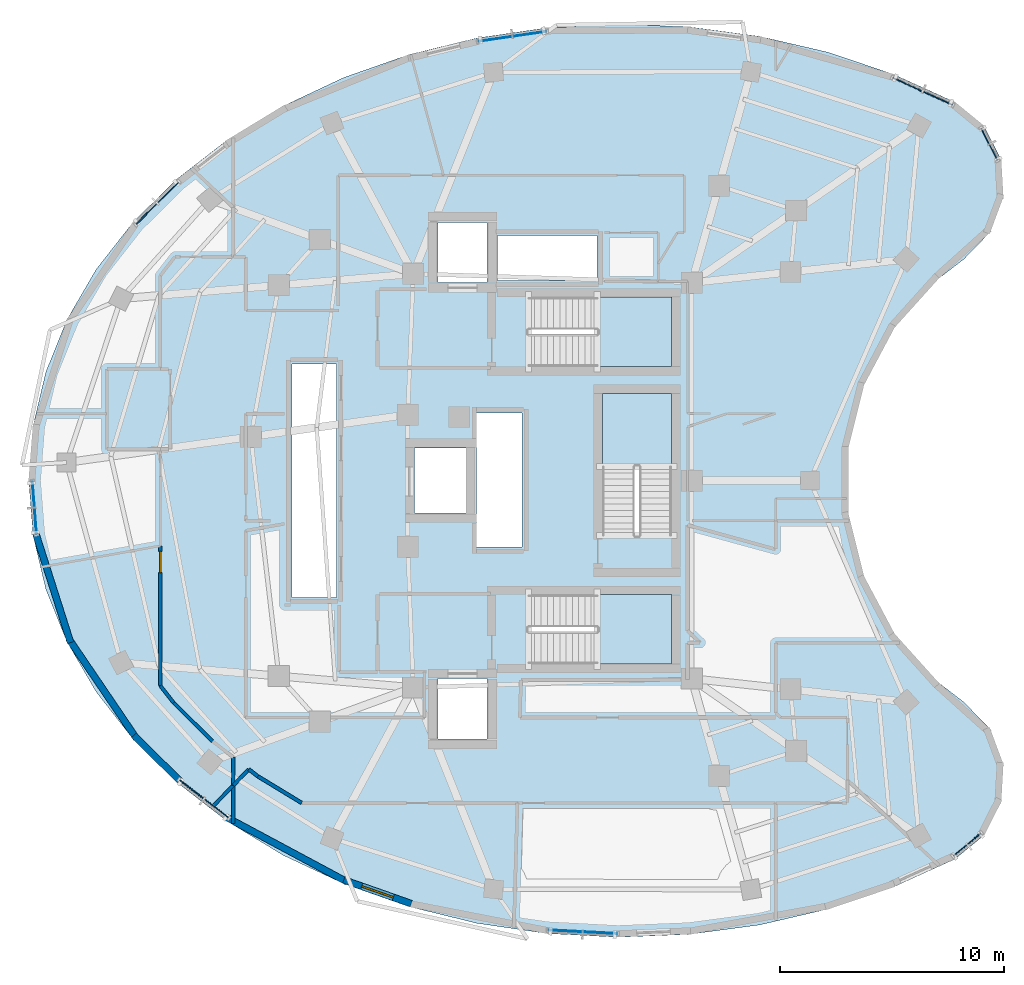
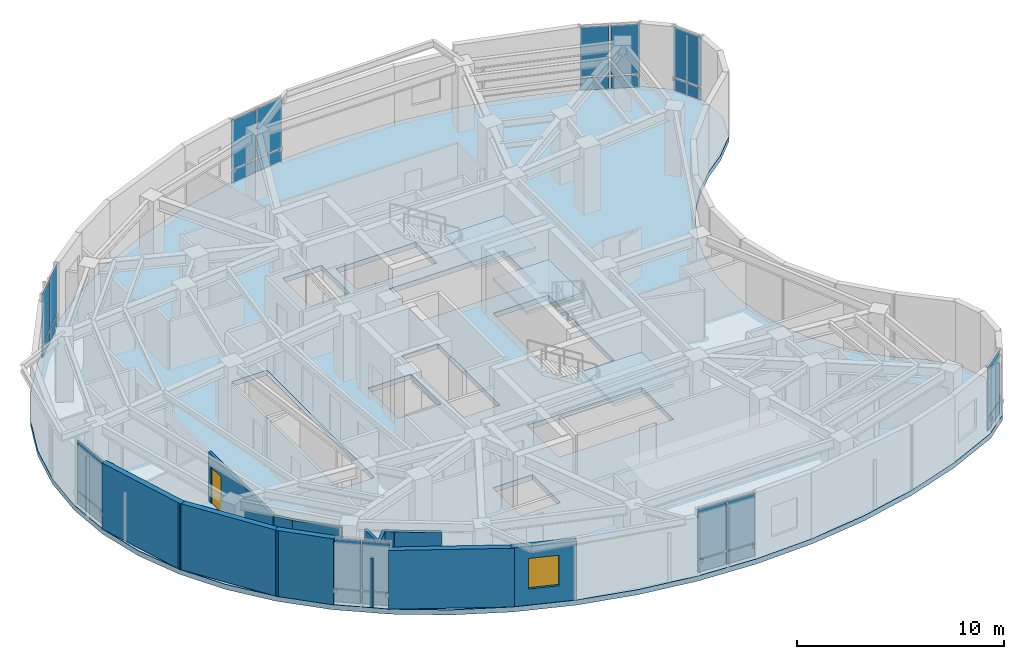
# One storey, part 6 of 13: 26 plates, 14 walls, 4 slabs, 1 door, 1 window, 2 openings, 11 elements without a shape of their own.
"""IFC4 building model written with IfcOpenShell, lengths in metres."""

from ifc_helpers import new_model, si_unit, direction, frame, frame_2d, origin, origin_2d, place, context, subcontext, project, spatial, polyline, rectangle, outline, extrude, material, layer, layer_set, type_object, element, fill, aggregate, save


model = new_model("IFC4")

# Units and contexts
model_context = context("Model", 3, precision=1e-05, world=origin(), true_north=direction((0.0, 1.0)))
body_context = subcontext(model_context, "Body", "Model", "MODEL_VIEW")
ifc_project = project(units=[si_unit("LENGTHUNIT", "METRE"), si_unit("AREAUNIT", "SQUARE_METRE"), si_unit("VOLUMEUNIT", "CUBIC_METRE"), si_unit("PLANEANGLEUNIT", "RADIAN"), si_unit("MASSUNIT", "GRAM", prefix="KILO")], contexts=[model_context])

# Site, building, storey
site_placement = place(None, origin())
site = spatial("IfcSite", under=ifc_project, at=site_placement, CompositionType="ELEMENT")
building_placement = place(site_placement, origin())
building = spatial("IfcBuilding", under=site, at=building_placement, Name="Korentha Bioscience Tower", CompositionType="ELEMENT")
storey_placement = place(building_placement, frame((0.0, 0.0, 260.39990234375)))
storey = spatial("IfcBuildingStorey", under=building, at=storey_placement, Name="L60", CompositionType="ELEMENT", Elevation=260.39990234375)

# Curtain wall, plates
ifc_material_1 = material(Name="Thermally Broken Aluminium Frame", Category="aluminium")
ifc_layer_1 = layer(ifc_material_1, 0.219970703125, Name="Thermally Broken Aluminium Frame")
ifc_layer_set_1 = layer_set([ifc_layer_1], Name="Thermally Broken Aluminium Frame (CW-T2)")
curtain_wall_type = type_object("IfcCurtainWallType", Name="Solar-Screened Lab Unitised Curtain Wall CW-T2", PredefinedType="USERDEFINED", material=ifc_layer_set_1)
curtain_wall_1_placement = place(storey_placement, origin())
curtain_wall_1 = element("IfcCurtainWall", 1, at=curtain_wall_1_placement, inside=storey, type_object=curtain_wall_type, Name="L60 Curtain Wall 01", ObjectType="UNITISED", PredefinedType="USERDEFINED")
ifc_material_2 = material(Name="Triple-Glazed Low-E Insulated Glass", Category="glass")
ifc_layer_2 = layer(ifc_material_2, 0.0439453125, Name="Triple-Glazed Low-E Insulated Glass")
ifc_layer_set_2 = layer_set([ifc_layer_2], Name="Triple-Glazed Low-E Insulated Glass (GL-44)")
plate_type = type_object("IfcPlateType", Name="Glazed Panel 44mm", PredefinedType="CURTAIN_PANEL", material=ifc_layer_set_2)
plate_1_placement = place(storey_placement, frame((48.554931640625, 44.091064453125, 0.08984375), z_axis=(0.0, 0.0, 1.0), x_axis=(-0.910604060449, 0.413279862918, 0.0)))
plate_1 = element("IfcPlate", 2, at=plate_1_placement, type_object=plate_type, Name="CW-L60-01 Bay 1 Glazed Panel 1", PredefinedType="CURTAIN_PANEL", context=body_context, shape_type="SweptSolid", body=[
    extrude(rectangle(XDim=1.41357421875, YDim=0.0439453125, at=origin_2d()), origin(), (0.0, 0.0, 1.0), 0.715087890625),
])
plate_2_placement = place(storey_placement, frame((48.554931640625, 44.091064453125, 0.89501953125), z_axis=(0.0, 0.0, 1.0), x_axis=(-0.910604060449, 0.413279862918, 0.0)))
plate_2 = element("IfcPlate", 3, at=plate_2_placement, type_object=plate_type, Name="CW-L60-01 Bay 1 Glazed Panel 2", PredefinedType="CURTAIN_PANEL", context=body_context, shape_type="SweptSolid", body=[
    extrude(rectangle(XDim=1.41357421875, YDim=0.0439453125, at=origin_2d()), origin(), (0.0, 0.0, 1.0), 2.9150390625),
])
plate_3_placement = place(storey_placement, frame((47.185791015625, 44.71240234375, 0.08984375), z_axis=(0.0, 0.0, 1.0), x_axis=(-0.910604060449, 0.413279862918, 0.0)))
plate_3 = element("IfcPlate", 4, at=plate_3_placement, type_object=plate_type, Name="CW-L60-01 Bay 2 Glazed Panel 1", PredefinedType="CURTAIN_PANEL", context=body_context, shape_type="SweptSolid", body=[
    extrude(rectangle(XDim=1.41357421875, YDim=0.0439453125, at=origin_2d()), origin(), (0.0, 0.0, 1.0), 0.715087890625),
])
plate_4_placement = place(storey_placement, frame((47.185791015625, 44.71240234375, 0.89501953125), z_axis=(0.0, 0.0, 1.0), x_axis=(-0.910604060449, 0.413279862918, 0.0)))
plate_4 = element("IfcPlate", 5, at=plate_4_placement, type_object=plate_type, Name="CW-L60-01 Bay 2 Glazed Panel 2", PredefinedType="CURTAIN_PANEL", context=body_context, shape_type="SweptSolid", body=[
    extrude(rectangle(XDim=1.41357421875, YDim=0.0439453125, at=origin_2d()), origin(), (0.0, 0.0, 1.0), 2.9150390625),
])
aggregate(curtain_wall_1, [plate_1, plate_2, plate_3, plate_4])

curtain_wall_2_placement = place(storey_placement, origin())
curtain_wall_2 = element("IfcCurtainWall", 6, at=curtain_wall_2_placement, inside=storey, type_object=curtain_wall_type, Name="L60 Curtain Wall 07", ObjectType="UNITISED", PredefinedType="USERDEFINED")
plate_5_placement = place(storey_placement, frame((30.309814453125, 46.9736328125, 0.08984375), z_axis=(0.0, 0.0, 1.0), x_axis=(-0.989459665324, -0.144808738328, 0.0)))
plate_5 = element("IfcPlate", 7, at=plate_5_placement, type_object=plate_type, Name="CW-L60-07 Bay 1 Glazed Panel 1", PredefinedType="CURTAIN_PANEL", context=body_context, shape_type="SweptSolid", body=[
    extrude(rectangle(XDim=1.489013671875, YDim=0.0439453125, at=origin_2d()), origin(), (0.0, 0.0, 1.0), 0.715087890625),
])
plate_6_placement = place(storey_placement, frame((30.309814453125, 46.9736328125, 0.89501953125), z_axis=(0.0, 0.0, 1.0), x_axis=(-0.989459665324, -0.144808738328, 0.0)))
plate_6 = element("IfcPlate", 8, at=plate_6_placement, type_object=plate_type, Name="CW-L60-07 Bay 1 Glazed Panel 2", PredefinedType="CURTAIN_PANEL", context=body_context, shape_type="SweptSolid", body=[
    extrude(rectangle(XDim=1.489013671875, YDim=0.0439453125, at=origin_2d()), origin(), (0.0, 0.0, 1.0), 2.9150390625),
])
plate_7_placement = place(storey_placement, frame((28.74755859375, 46.7451171875, 0.08984375), z_axis=(0.0, 0.0, 1.0), x_axis=(-0.989459665324, -0.144808738328, 0.0)))
plate_7 = element("IfcPlate", 9, at=plate_7_placement, type_object=plate_type, Name="CW-L60-07 Bay 2 Glazed Panel 1", PredefinedType="CURTAIN_PANEL", context=body_context, shape_type="SweptSolid", body=[
    extrude(rectangle(XDim=1.489013671875, YDim=0.0439453125, at=origin_2d()), origin(), (0.0, 0.0, 1.0), 0.715087890625),
])
plate_8_placement = place(storey_placement, frame((28.74755859375, 46.7451171875, 0.89501953125), z_axis=(0.0, 0.0, 1.0), x_axis=(-0.989459665324, -0.144808738328, 0.0)))
plate_8 = element("IfcPlate", 10, at=plate_8_placement, type_object=plate_type, Name="CW-L60-07 Bay 2 Glazed Panel 2", PredefinedType="CURTAIN_PANEL", context=body_context, shape_type="SweptSolid", body=[
    extrude(rectangle(XDim=1.489013671875, YDim=0.0439453125, at=origin_2d()), origin(), (0.0, 0.0, 1.0), 2.9150390625),
])
aggregate(curtain_wall_2, [plate_5, plate_6, plate_7, plate_8])

curtain_wall_3_placement = place(storey_placement, origin())
curtain_wall_3 = element("IfcCurtainWall", 11, at=curtain_wall_3_placement, inside=storey, type_object=curtain_wall_type, Name="L60 Curtain Wall 13", ObjectType="UNITISED", PredefinedType="USERDEFINED")
plate_9_placement = place(storey_placement, frame((14.144775390625, 39.8828125, 0.08984375), z_axis=(0.0, 0.0, 1.0), x_axis=(-0.711397700041, -0.702789664392, 0.0)))
plate_9 = element("IfcPlate", 12, at=plate_9_placement, type_object=plate_type, Name="CW-L60-13 Bay 1 Glazed Panel 1", PredefinedType="CURTAIN_PANEL", context=body_context, shape_type="SweptSolid", body=[
    extrude(rectangle(XDim=1.2822265625, YDim=0.0439453125, at=origin_2d()), origin(), (0.0, 0.0, 1.0), 0.715087890625),
])
plate_10_placement = place(storey_placement, frame((14.144775390625, 39.8828125, 0.89501953125), z_axis=(0.0, 0.0, 1.0), x_axis=(-0.711397700041, -0.702789664392, 0.0)))
plate_10 = element("IfcPlate", 13, at=plate_10_placement, type_object=plate_type, Name="CW-L60-13 Bay 1 Glazed Panel 2", PredefinedType="CURTAIN_PANEL", context=body_context, shape_type="SweptSolid", body=[
    extrude(rectangle(XDim=1.2822265625, YDim=0.0439453125, at=origin_2d()), origin(), (0.0, 0.0, 1.0), 2.9150390625),
])
plate_11_placement = place(storey_placement, frame((13.16845703125, 38.918212890625, 0.08984375), z_axis=(0.0, 0.0, 1.0), x_axis=(-0.711397700041, -0.702789664392, 0.0)))
plate_11 = element("IfcPlate", 14, at=plate_11_placement, type_object=plate_type, Name="CW-L60-13 Bay 2 Glazed Panel 1", PredefinedType="CURTAIN_PANEL", context=body_context, shape_type="SweptSolid", body=[
    extrude(rectangle(XDim=1.2822265625, YDim=0.0439453125, at=origin_2d()), origin(), (0.0, 0.0, 1.0), 0.715087890625),
])
plate_12_placement = place(storey_placement, frame((13.16845703125, 38.918212890625, 0.89501953125), z_axis=(0.0, 0.0, 1.0), x_axis=(-0.711397700041, -0.702789664392, 0.0)))
plate_12 = element("IfcPlate", 15, at=plate_12_placement, type_object=plate_type, Name="CW-L60-13 Bay 2 Glazed Panel 2", PredefinedType="CURTAIN_PANEL", context=body_context, shape_type="SweptSolid", body=[
    extrude(rectangle(XDim=1.2822265625, YDim=0.0439453125, at=origin_2d()), origin(), (0.0, 0.0, 1.0), 2.9150390625),
])
aggregate(curtain_wall_3, [plate_9, plate_10, plate_11, plate_12])

curtain_wall_4_placement = place(storey_placement, origin())
curtain_wall_4 = element("IfcCurtainWall", 16, at=curtain_wall_4_placement, inside=storey, type_object=curtain_wall_type, Name="L60 Curtain Wall 19", ObjectType="UNITISED", PredefinedType="USERDEFINED")
plate_13_placement = place(storey_placement, frame((8.164306640625, 25.7880859375, 0.08984375), z_axis=(0.0, 0.0, 1.0), x_axis=(0.078035250492, -0.996950600421, 0.0)))
plate_13 = element("IfcPlate", 17, at=plate_13_placement, type_object=plate_type, Name="CW-L60-19 Bay 1 Glazed Panel 1", PredefinedType="CURTAIN_PANEL", context=body_context, shape_type="SweptSolid", body=[
    extrude(rectangle(XDim=2.35595703125, YDim=0.0439453125, at=origin_2d()), origin(), (0.0, 0.0, 1.0), 0.715087890625),
])
plate_14_placement = place(storey_placement, frame((8.164306640625, 25.7880859375, 0.89501953125), z_axis=(0.0, 0.0, 1.0), x_axis=(0.078035250492, -0.996950600421, 0.0)))
plate_14 = element("IfcPlate", 18, at=plate_14_placement, type_object=plate_type, Name="CW-L60-19 Bay 1 Glazed Panel 2", PredefinedType="CURTAIN_PANEL", context=body_context, shape_type="SweptSolid", body=[
    extrude(rectangle(XDim=2.35595703125, YDim=0.0439453125, at=origin_2d()), origin(), (0.0, 0.0, 1.0), 2.9150390625),
])
aggregate(curtain_wall_4, [plate_13, plate_14])

curtain_wall_5_placement = place(storey_placement, origin())
curtain_wall_5 = element("IfcCurtainWall", 19, at=curtain_wall_5_placement, inside=storey, type_object=curtain_wall_type, Name="L60 Curtain Wall 25", ObjectType="UNITISED", PredefinedType="USERDEFINED")
plate_15_placement = place(storey_placement, frame((15.185791015625, 13.20751953125, 0.08984375), z_axis=(0.0, 0.0, 1.0), x_axis=(0.790487520139, -0.612478146961, 0.0)))
plate_15 = element("IfcPlate", 20, at=plate_15_placement, type_object=plate_type, Name="CW-L60-25 Bay 1 Glazed Panel 1", PredefinedType="CURTAIN_PANEL", context=body_context, shape_type="SweptSolid", body=[
    extrude(rectangle(XDim=1.326416015625, YDim=0.0439453125, at=origin_2d()), origin(), (0.0, 0.0, 1.0), 0.715087890625),
])
plate_16_placement = place(storey_placement, frame((15.185791015625, 13.20751953125, 0.89501953125), z_axis=(0.0, 0.0, 1.0), x_axis=(0.790487520139, -0.612478146961, 0.0)))
plate_16 = element("IfcPlate", 21, at=plate_16_placement, type_object=plate_type, Name="CW-L60-25 Bay 1 Glazed Panel 2", PredefinedType="CURTAIN_PANEL", context=body_context, shape_type="SweptSolid", body=[
    extrude(rectangle(XDim=1.326416015625, YDim=0.0439453125, at=origin_2d()), origin(), (0.0, 0.0, 1.0), 2.9150390625),
])
plate_17_placement = place(storey_placement, frame((16.305419921875, 12.33984375, 0.08984375), z_axis=(0.0, 0.0, 1.0), x_axis=(0.790487520139, -0.612478146961, 0.0)))
plate_17 = element("IfcPlate", 22, at=plate_17_placement, type_object=plate_type, Name="CW-L60-25 Bay 2 Glazed Panel 1", PredefinedType="CURTAIN_PANEL", context=body_context, shape_type="SweptSolid", body=[
    extrude(rectangle(XDim=1.326416015625, YDim=0.0439453125, at=origin_2d()), origin(), (0.0, 0.0, 1.0), 0.715087890625),
])
plate_18_placement = place(storey_placement, frame((16.305419921875, 12.33984375, 0.89501953125), z_axis=(0.0, 0.0, 1.0), x_axis=(0.790487520139, -0.612478146961, 0.0)))
plate_18 = element("IfcPlate", 23, at=plate_18_placement, type_object=plate_type, Name="CW-L60-25 Bay 2 Glazed Panel 2", PredefinedType="CURTAIN_PANEL", context=body_context, shape_type="SweptSolid", body=[
    extrude(rectangle(XDim=1.326416015625, YDim=0.0439453125, at=origin_2d()), origin(), (0.0, 0.0, 1.0), 2.9150390625),
])
aggregate(curtain_wall_5, [plate_15, plate_16, plate_17, plate_18])

curtain_wall_6_placement = place(storey_placement, origin())
curtain_wall_6 = element("IfcCurtainWall", 24, at=curtain_wall_6_placement, inside=storey, type_object=curtain_wall_type, Name="L60 Curtain Wall 31", ObjectType="UNITISED", PredefinedType="USERDEFINED")
plate_19_placement = place(storey_placement, frame((31.87939453125, 6.87109375, 0.08984375), z_axis=(0.0, 0.0, 1.0), x_axis=(0.998636113937, -0.052210266622, 0.0)))
plate_19 = element("IfcPlate", 25, at=plate_19_placement, type_object=plate_type, Name="CW-L60-31 Bay 1 Glazed Panel 1", PredefinedType="CURTAIN_PANEL", context=body_context, shape_type="SweptSolid", body=[
    extrude(rectangle(XDim=1.498779296875, YDim=0.0439453125, at=origin_2d()), origin(), (0.0, 0.0, 1.0), 0.715087890625),
])
plate_20_placement = place(storey_placement, frame((31.87939453125, 6.87109375, 0.89501953125), z_axis=(0.0, 0.0, 1.0), x_axis=(0.998636113937, -0.052210266622, 0.0)))
plate_20 = element("IfcPlate", 26, at=plate_20_placement, type_object=plate_type, Name="CW-L60-31 Bay 1 Glazed Panel 2", PredefinedType="CURTAIN_PANEL", context=body_context, shape_type="SweptSolid", body=[
    extrude(rectangle(XDim=1.498779296875, YDim=0.0439453125, at=origin_2d()), origin(), (0.0, 0.0, 1.0), 2.9150390625),
])
plate_21_placement = place(storey_placement, frame((33.466064453125, 6.7880859375, 0.08984375), z_axis=(0.0, 0.0, 1.0), x_axis=(0.998636113937, -0.052210266622, 0.0)))
plate_21 = element("IfcPlate", 27, at=plate_21_placement, type_object=plate_type, Name="CW-L60-31 Bay 2 Glazed Panel 1", PredefinedType="CURTAIN_PANEL", context=body_context, shape_type="SweptSolid", body=[
    extrude(rectangle(XDim=1.498779296875, YDim=0.0439453125, at=origin_2d()), origin(), (0.0, 0.0, 1.0), 0.715087890625),
])
plate_22_placement = place(storey_placement, frame((33.466064453125, 6.7880859375, 0.89501953125), z_axis=(0.0, 0.0, 1.0), x_axis=(0.998636113937, -0.052210266622, 0.0)))
plate_22 = element("IfcPlate", 28, at=plate_22_placement, type_object=plate_type, Name="CW-L60-31 Bay 2 Glazed Panel 2", PredefinedType="CURTAIN_PANEL", context=body_context, shape_type="SweptSolid", body=[
    extrude(rectangle(XDim=1.498779296875, YDim=0.0439453125, at=origin_2d()), origin(), (0.0, 0.0, 1.0), 2.9150390625),
])
aggregate(curtain_wall_6, [plate_19, plate_20, plate_21, plate_22])

curtain_wall_7_placement = place(storey_placement, origin())
curtain_wall_7 = element("IfcCurtainWall", 29, at=curtain_wall_7_placement, inside=storey, type_object=curtain_wall_type, Name="L60 Curtain Wall 37", ObjectType="UNITISED", PredefinedType="USERDEFINED")
plate_23_placement = place(storey_placement, frame((49.85986328125, 10.732177734375, 0.08984375), z_axis=(0.0, 0.0, 1.0), x_axis=(0.774235415138, 0.632897718393, 0.0)))
plate_23 = element("IfcPlate", 30, at=plate_23_placement, type_object=plate_type, Name="CW-L60-37 Bay 1 Glazed Panel 1", PredefinedType="CURTAIN_PANEL", context=body_context, shape_type="SweptSolid", body=[
    extrude(rectangle(XDim=1.581787109375, YDim=0.0439453125, at=origin_2d()), origin(), (0.0, 0.0, 1.0), 0.715087890625),
])
plate_24_placement = place(storey_placement, frame((49.85986328125, 10.732177734375, 0.89501953125), z_axis=(0.0, 0.0, 1.0), x_axis=(0.774235415138, 0.632897718393, 0.0)))
plate_24 = element("IfcPlate", 31, at=plate_24_placement, type_object=plate_type, Name="CW-L60-37 Bay 1 Glazed Panel 2", PredefinedType="CURTAIN_PANEL", context=body_context, shape_type="SweptSolid", body=[
    extrude(rectangle(XDim=1.581787109375, YDim=0.0439453125, at=origin_2d()), origin(), (0.0, 0.0, 1.0), 2.9150390625),
])
aggregate(curtain_wall_7, [plate_23, plate_24])

curtain_wall_8_placement = place(storey_placement, origin())
curtain_wall_8 = element("IfcCurtainWall", 32, at=curtain_wall_8_placement, inside=storey, type_object=curtain_wall_type, Name="L60 Curtain Wall 61", ObjectType="UNITISED", PredefinedType="USERDEFINED")
plate_25_placement = place(storey_placement, frame((50.8515625, 42.037841796875, 0.08984375), z_axis=(0.0, 0.0, 1.0), x_axis=(-0.454238686477, 0.890880023184, 0.0)))
plate_25 = element("IfcPlate", 33, at=plate_25_placement, type_object=plate_type, Name="CW-L60-61 Bay 1 Glazed Panel 1", PredefinedType="CURTAIN_PANEL", context=body_context, shape_type="SweptSolid", body=[
    extrude(rectangle(XDim=1.58154296875, YDim=0.0439453125, at=origin_2d()), origin(), (0.0, 0.0, 1.0), 0.715087890625),
])
plate_26_placement = place(storey_placement, frame((50.8515625, 42.037841796875, 0.89501953125), z_axis=(0.0, 0.0, 1.0), x_axis=(-0.454238686477, 0.890880023184, 0.0)))
plate_26 = element("IfcPlate", 34, at=plate_26_placement, type_object=plate_type, Name="CW-L60-61 Bay 1 Glazed Panel 2", PredefinedType="CURTAIN_PANEL", context=body_context, shape_type="SweptSolid", body=[
    extrude(rectangle(XDim=1.58154296875, YDim=0.0439453125, at=origin_2d()), origin(), (0.0, 0.0, 1.0), 2.9150390625),
])
aggregate(curtain_wall_8, [plate_25, plate_26])

# Slab
ifc_material_3 = material(Name="Concrete C50", Category="concrete")
ifc_layer_3 = layer(ifc_material_3, 0.300048828125, Name="Concrete C50")
ifc_layer_set_3 = layer_set([ifc_layer_3], Name="Concrete C50 (SL-L300)")
slab_type_1 = type_object("IfcSlabType", Name="Laboratory Vibration-Controlled Slab 300", PredefinedType="FLOOR", material=ifc_layer_set_3)
slab_1_placement = place(storey_placement, frame((0.0, 0.0, -0.2998046875)))
element("IfcSlab", 35, at=slab_1_placement, inside=storey, type_object=slab_type_1, Name="L60 Tower Structural Floor Slab", PredefinedType="FLOOR", context=body_context, shape_type="SweptSolid", body=[
    extrude(outline(polyline([(49.310302734375, 43.924072265625), (46.562744140625, 45.1708984375), (43.640380859375, 46.15576171875), (40.58544921875, 46.86376953125), (37.4423828125, 47.284912109375), (34.256103515625, 47.413330078125), (31.07275390625, 47.2470703125), (27.9384765625, 46.788330078125), (24.898193359375, 46.0439453125), (21.99609375, 45.0244140625), (19.27392578125, 43.744873046875), (16.771240234375, 42.223388671875), (14.52392578125, 40.482177734375), (12.564453125, 38.54638671875), (10.921142578125, 36.443603515625), (9.61767578125, 34.20458984375), (8.673095703125, 31.86181640625), (8.1005859375, 29.448486328125), (7.908935546875, 27.0), (8.1005859375, 24.551513671875), (8.673095703125, 22.13818359375), (9.61767578125, 19.79541015625), (10.921142578125, 17.556396484375), (12.564453125, 15.45361328125), (14.52392578125, 13.517822265625), (16.771240234375, 11.776611328125), (19.27392578125, 10.255126953125), (21.99609375, 8.9755859375), (24.898193359375, 7.9560546875), (27.9384765625, 7.211669921875), (31.07275390625, 6.7529296875), (34.256103515625, 6.586669921875), (37.4423828125, 6.715087890625), (40.58544921875, 7.13623046875), (43.640380859375, 7.84423828125), (46.562744140625, 8.8291015625), (49.310302734375, 10.075927734375), (50.6123046875, 11.140380859375), (51.3759765625, 12.638671875), (51.47265625, 14.3173828125), (50.8857421875, 15.893310546875), (49.714599609375, 17.10009765625), (48.55810546875, 17.98779296875), (47.51806640625, 19.009765625), (46.6103515625, 20.15087890625), (45.8486328125, 21.393798828125), (45.243896484375, 22.720703125), (44.8056640625, 24.111083984375), (44.539794921875, 25.544677734375), (44.450927734375, 27.0), (44.539794921875, 28.455322265625), (44.8056640625, 29.888916015625), (45.243896484375, 31.279296875), (45.8486328125, 32.606201171875), (46.6103515625, 33.84912109375), (47.51806640625, 34.990234375), (48.55810546875, 36.01220703125), (49.714599609375, 36.89990234375), (50.8857421875, 38.106689453125), (51.47265625, 39.6826171875), (51.3759765625, 41.361328125), (50.6123046875, 42.859619140625), (49.310302734375, 43.924072265625)]), holes=[polyline([(30.25, 32.10009765625), (36.64990234375, 32.10009765625), (36.64990234375, 35.199951171875), (30.25, 35.199951171875), (30.25, 32.10009765625)]), polyline([(30.25, 18.800048828125), (36.64990234375, 18.800048828125), (36.64990234375, 21.89990234375), (30.25, 21.89990234375), (30.25, 18.800048828125)]), polyline([(36.64990234375, 24.550048828125), (36.64990234375, 30.89990234375), (33.550048828125, 30.89990234375), (33.550048828125, 24.550048828125), (36.64990234375, 24.550048828125)]), polyline([(19.679931640625, 21.780029296875), (21.669921875, 21.780029296875), (21.669921875, 32.219970703125), (19.679931640625, 32.219970703125), (19.679931640625, 21.780029296875)]), polyline([(27.929931640625, 24.030029296875), (29.969970703125, 24.030029296875), (29.969970703125, 30.02001953125), (27.929931640625, 30.02001953125), (27.929931640625, 24.030029296875)]), polyline([(28.860107421875, 35.93994140625), (33.31005859375, 35.93994140625), (33.31005859375, 37.9599609375), (28.860107421875, 37.9599609375), (28.860107421875, 35.93994140625)]), polyline([(26.199951171875, 15.449951171875), (28.39990234375, 15.449951171875), (28.39990234375, 18.14990234375), (26.199951171875, 18.14990234375), (26.199951171875, 15.449951171875)]), polyline([(26.199951171875, 35.85009765625), (28.39990234375, 35.85009765625), (28.39990234375, 38.550048828125), (26.199951171875, 38.550048828125), (26.199951171875, 35.85009765625)]), polyline([(25.14990234375, 25.550048828125), (27.550048828125, 25.550048828125), (27.550048828125, 28.449951171875), (25.14990234375, 28.449951171875), (25.14990234375, 25.550048828125)])]), origin(), (0.0, 0.0, 1.0), 0.2998046875),
])

# Stair, slab
ifc_material_4 = material(Name="Precast Concrete C50", Category="concrete")
stair_type = type_object("IfcStairType", Name="Core Exit Dog-Leg Stair 1450", PredefinedType="HALF_TURN_STAIR", material=ifc_material_4)
stair_1_placement = place(storey_placement, origin())
stair_1 = element("IfcStair", 36, at=stair_1_placement, inside=storey, type_object=stair_type, Name="L60 Tower North Pressurized Exit Stair ST-1", PredefinedType="HALF_TURN_STAIR")
ifc_layer_4 = layer(ifc_material_3, 0.199951171875, Name="Concrete C50")
ifc_layer_set_4 = layer_set([ifc_layer_4], Name="Concrete C50 (SL-LND)")
slab_type_2 = type_object("IfcSlabType", Name="Landing Slab 200", PredefinedType="LANDING", material=ifc_layer_set_4)
slab_2_placement = place(storey_placement, frame((0.0, 0.0, 1.900146484375)))
slab_2 = element("IfcSlab", 37, at=slab_2_placement, type_object=slab_type_2, Name="ST-1 landing 1", PredefinedType="LANDING", context=body_context, shape_type="SweptSolid", body=[
    extrude(outline(polyline([(33.330078125, 32.10009765625), (36.64990234375, 32.10009765625), (36.64990234375, 35.199951171875), (33.330078125, 35.199951171875), (33.330078125, 32.10009765625)])), origin(), (0.0, 0.0, 1.0), 0.199951171875),
])
aggregate(stair_1, [slab_2])

stair_2_placement = place(storey_placement, origin())
stair_2 = element("IfcStair", 38, at=stair_2_placement, inside=storey, type_object=stair_type, Name="L60 Tower South Pressurized Exit Stair ST-2", PredefinedType="HALF_TURN_STAIR")
slab_3_placement = place(storey_placement, frame((0.0, 0.0, 1.900146484375)))
slab_3 = element("IfcSlab", 39, at=slab_3_placement, type_object=slab_type_2, Name="ST-2 landing 1", PredefinedType="LANDING", context=body_context, shape_type="SweptSolid", body=[
    extrude(outline(polyline([(33.330078125, 18.800048828125), (36.64990234375, 18.800048828125), (36.64990234375, 21.89990234375), (33.330078125, 21.89990234375), (33.330078125, 18.800048828125)])), origin(), (0.0, 0.0, 1.0), 0.199951171875),
])
aggregate(stair_2, [slab_3])

stair_3_placement = place(storey_placement, origin())
stair_3 = element("IfcStair", 40, at=stair_3_placement, inside=storey, type_object=stair_type, Name="L60 Tower Central Pressurized Exit Stair ST-3", PredefinedType="HALF_TURN_STAIR")
slab_4_placement = place(storey_placement, frame((0.0, 0.0, 1.900146484375)))
slab_4 = element("IfcSlab", 41, at=slab_4_placement, type_object=slab_type_2, Name="ST-3 landing 1", PredefinedType="LANDING", context=body_context, shape_type="SweptSolid", body=[
    extrude(outline(polyline([(36.64990234375, 27.6298828125), (36.64990234375, 30.89990234375), (33.550048828125, 30.89990234375), (33.550048828125, 27.6298828125), (36.64990234375, 27.6298828125)])), origin(), (0.0, 0.0, 1.0), 0.199951171875),
])
aggregate(stair_3, [slab_4])

# Wall, opening, door
ifc_material_5 = material(Name="Double-Stud Acoustic Gypsum", Category="gypsum")
ifc_layer_5 = layer(ifc_material_5, 0.14990234375, Name="Double-Stud Acoustic Gypsum")
ifc_layer_set_5 = layer_set([ifc_layer_5], Name="Double-Stud Acoustic Gypsum (IW-L150)")
wall_type_1 = type_object("IfcWallType", Name="Acoustic Laboratory Partition Wall 150", PredefinedType="PARTITIONING", material=ifc_layer_set_5)
wall_1_placement = place(storey_placement, frame((13.7900390625, 24.075927734375, 0.0), z_axis=(0.0, 0.0, 1.0), x_axis=(0.0, -1.0, 0.0)))
wall_1 = element("IfcWall", 42, at=wall_1_placement, inside=storey, type_object=wall_type_1, Name="L60 Research Colloquium Seminar Room 02 Entrance Wall", PredefinedType="PARTITIONING", context=body_context, shape_type="SweptSolid", body=[
    extrude(rectangle(XDim=6.24072265625, YDim=0.14990234375, at=frame_2d((3.120361328125, 0.0))), origin(), (0.0, 0.0, 1.0), 2.91015625),
])
opening_1_placement = place(wall_1_placement, frame((0.239990234375, 0.0, 0.0)))
opening_1 = element("IfcOpeningElement", 43, at=opening_1_placement, cuts=wall_1, Name="Opening ID-10R", PredefinedType="OPENING", context=body_context, shape_type="SweptSolid", body=[
    extrude(rectangle(XDim=0.949951171875, YDim=2.14990234375, at=frame_2d((0.47509765625, 1.074951171875))), frame((0.0, 0.08984375, 0.0), z_axis=(0.0, -1.0, 0.0), x_axis=(1.0, 0.0, 0.0)), (0.0, 0.0, 1.0), 0.1796875),
])
ifc_material_6 = material(Name="Phenolic Laminate Timber Core", Category="wood")
door_type = type_object("IfcDoorType", Name="Laboratory Single Leaf Door 950x2150 Right", OperationType="SINGLE_SWING_RIGHT", PredefinedType="DOOR", material=ifc_material_6)
door_placement = place(opening_1_placement, origin())
door = element("IfcDoor", 44, at=door_placement, inside=storey, type_object=door_type, Name="L60 Research Colloquium Seminar Room 02 Door", OperationType="SINGLE_SWING_RIGHT", OverallHeight=2.14990234375, OverallWidth=0.949951171875, PredefinedType="DOOR", context=body_context, shape_type="SweptSolid", body=[
    extrude(rectangle(XDim=0.949951171875, YDim=2.14990234375, at=frame_2d((0.47509765625, 1.074951171875))), frame((0.0, 0.02490234375, 0.0), z_axis=(0.0, -1.0, 0.0), x_axis=(1.0, 0.0, 0.0)), (0.0, 0.0, 1.0), 0.050048828125),
])
fill(opening_1, door)

# Walls
wall_2_placement = place(storey_placement, frame((17.0478515625, 13.3779296875, 0.0), z_axis=(0.0, 0.0, 1.0), x_axis=(-0.693410652624, -0.720542619716, 0.0)))
element("IfcWall", 45, at=wall_2_placement, inside=storey, type_object=wall_type_1, Name="L60 Interior Partition 024", PredefinedType="PARTITIONING", context=body_context, shape_type="SweptSolid", body=[
    extrude(rectangle(XDim=1.421630859375, YDim=0.14990234375, at=frame_2d((0.7109375, 0.0))), origin(), (0.0, 0.0, 1.0), 2.91015625),
])
wall_3_placement = place(storey_placement, frame((13.7919921875, 17.8291015625, 0.0), z_axis=(0.0, 0.0, 1.0), x_axis=(0.615841557122, -0.787870025145, 0.0)))
element("IfcWall", 46, at=wall_3_placement, inside=storey, type_object=wall_type_1, Name="L60 Interior Partition 025", PredefinedType="PARTITIONING", context=body_context, shape_type="SweptSolid", body=[
    extrude(rectangle(XDim=0.95947265625, YDim=0.14990234375, at=frame_2d((0.479736328125, 0.0))), origin(), (0.0, 0.0, 1.0), 2.91015625),
])
wall_4_placement = place(storey_placement, frame((14.383544921875, 17.072509765625, 0.0), z_axis=(0.0, 0.0, 1.0), x_axis=(0.711327015195, -0.702861207817, 0.0)))
element("IfcWall", 47, at=wall_4_placement, inside=storey, type_object=wall_type_1, Name="L60 Interior Partition 026", PredefinedType="PARTITIONING", context=body_context, shape_type="SweptSolid", body=[
    extrude(rectangle(XDim=2.451171875, YDim=0.14990234375, at=frame_2d((1.2255859375, 0.0))), origin(), (0.0, 0.0, 1.0), 2.91015625),
])
wall_5_placement = place(storey_placement, frame((17.048095703125, 14.63623046875, 0.0), z_axis=(0.0, 0.0, 1.0), x_axis=(0.0, -1.0, 0.0)))
element("IfcWall", 48, at=wall_5_placement, inside=storey, type_object=wall_type_1, Name="L60 Interior Partition 028", PredefinedType="PARTITIONING", context=body_context, shape_type="SweptSolid", body=[
    extrude(rectangle(XDim=1.258056640625, YDim=0.14990234375, at=frame_2d((0.62890625, 0.0))), origin(), (0.0, 0.0, 1.0), 2.91015625),
])
ifc_material_7 = material(Name="Gypsum-Clad Steel Stud", Category="steel")
ifc_layer_6 = layer(ifc_material_7, 0.159912109375, Name="Gypsum-Clad Steel Stud")
ifc_layer_set_6 = layer_set([ifc_layer_6], Name="Gypsum-Clad Steel Stud (IW-C160)")
wall_type_2 = type_object("IfcWallType", Name="Fire-Rated Corridor Partition Wall 160", PredefinedType="PARTITIONING", material=ifc_layer_set_6)
wall_6_placement = place(storey_placement, frame((17.052001953125, 11.67529296875, 0.0), z_axis=(0.0, 0.0, 1.0), x_axis=(0.0, 1.0, 0.0)))
element("IfcWall", 49, at=wall_6_placement, inside=storey, type_object=wall_type_2, Name="L60 Interior Partition 035", PredefinedType="PARTITIONING", context=body_context, shape_type="SweptSolid", body=[
    extrude(rectangle(XDim=1.692626953125, YDim=0.159912109375, at=frame_2d((0.84619140625, 0.0))), origin(), (0.0, 0.0, 1.0), 2.91015625),
])
wall_7_placement = place(storey_placement, frame((17.05810546875, 13.382568359375, 0.0), z_axis=(0.0, 0.0, 1.0), x_axis=(0.693419009771, 0.720534577163, 0.0)))
element("IfcWall", 50, at=wall_7_placement, inside=storey, type_object=wall_type_2, Name="L60 Interior Partition 036", PredefinedType="PARTITIONING", context=body_context, shape_type="SweptSolid", body=[
    extrude(rectangle(XDim=0.990478515625, YDim=0.159912109375, at=frame_2d((0.4951171875, 0.0))), origin(), (0.0, 0.0, 1.0), 2.91015625),
])
wall_8_placement = place(storey_placement, frame((17.744873046875, 14.09619140625, 0.0), z_axis=(0.0, 0.0, 1.0), x_axis=(0.790478415243, -0.612489897904, 0.0)))
element("IfcWall", 51, at=wall_8_placement, inside=storey, type_object=wall_type_2, Name="L60 Interior Partition 037", PredefinedType="PARTITIONING", context=body_context, shape_type="SweptSolid", body=[
    extrude(rectangle(XDim=0.512939453125, YDim=0.159912109375, at=frame_2d((0.25634765625, 0.0))), origin(), (0.0, 0.0, 1.0), 2.91015625),
])
wall_9_placement = place(storey_placement, frame((18.1513671875, 13.781494140625, 0.0), z_axis=(0.0, 0.0, 1.0), x_axis=(0.854507101003, -0.519439711935, 0.0)))
element("IfcWall", 52, at=wall_9_placement, inside=storey, type_object=wall_type_2, Name="L60 Interior Partition 038", PredefinedType="PARTITIONING", context=body_context, shape_type="SweptSolid", body=[
    extrude(rectangle(XDim=2.290771484375, YDim=0.159912109375, at=frame_2d((1.1455078125, 0.0))), origin(), (0.0, 0.0, 1.0), 2.91015625),
])

# Wall, opening, window
ifc_material_8 = material(Name="Honed Limestone Precast Concrete C40", Category="masonry")
ifc_layer_7 = layer(ifc_material_8, 0.300048828125, Name="Honed Limestone Precast Concrete C40")
ifc_layer_set_7 = layer_set([ifc_layer_7], Name="Honed Limestone Precast Concrete C40 (EW-ST300)")
wall_type_3 = type_object("IfcWallType", Name="Honed Limestone Cavity Spandrel Wall 300", PredefinedType="STANDARD", material=ifc_layer_set_7)
wall_10_placement = place(storey_placement, frame((21.992431640625, 9.146484375, 0.0), z_axis=(0.0, 0.0, 1.0), x_axis=(0.943473052448, -0.331449240917, 0.0)))
wall_10 = element("IfcWall", 53, at=wall_10_placement, inside=storey, type_object=wall_type_3, Name="L60 Honed Limestone Spandrel Wall 28", PredefinedType="STANDARD", context=body_context, shape_type="SweptSolid", body=[
    extrude(rectangle(XDim=3.196044921875, YDim=0.300048828125, at=frame_2d((1.59814453125, 0.0))), origin(), (0.0, 0.0, 1.0), 3.47021484375),
])
opening_2_placement = place(wall_10_placement, frame((0.847900390625, 0.0, 0.949951171875)))
opening_2 = element("IfcOpeningElement", 54, at=opening_2_placement, cuts=wall_10, Name="Opening WN-02", PredefinedType="OPENING", context=body_context, shape_type="SweptSolid", body=[
    extrude(rectangle(XDim=1.5, YDim=1.800048828125, at=frame_2d((0.75, 0.89990234375))), frame((0.0, 0.1650390625, 0.0), z_axis=(0.0, -1.0, 0.0), x_axis=(1.0, 0.0, 0.0)), (0.0, 0.0, 1.0), 0.329833984375),
])
ifc_material_9 = material(Name="Thermally Broken Aluminium Triple Glazing", Category="aluminium")
window_type = type_object("IfcWindowType", Name="Acoustic Operable Office Window 1500x1800", PartitioningType="DOUBLE_PANEL_VERTICAL", PredefinedType="WINDOW", material=ifc_material_9)
window_placement = place(opening_2_placement, origin())
window = element("IfcWindow", 55, at=window_placement, inside=storey, type_object=window_type, Name="L60 Facade Window 28", OverallHeight=1.800048828125, OverallWidth=1.5, PartitioningType="DOUBLE_PANEL_VERTICAL", PredefinedType="WINDOW", context=body_context, shape_type="SweptSolid", body=[
    extrude(rectangle(XDim=1.5, YDim=1.800048828125, at=frame_2d((0.75, 0.89990234375))), frame((0.0, 0.030029296875, 0.0), z_axis=(0.0, -1.0, 0.0), x_axis=(1.0, 0.0, 0.0)), (0.0, 0.0, 1.0), 0.06005859375),
])
fill(opening_2, window)

# Walls
wall_11_placement = place(storey_placement, frame((8.209716796875, 24.67041015625, 0.0), z_axis=(0.0, 0.0, 1.0), x_axis=(0.303876387353, -0.952711467974, 0.0)))
element("IfcWall", 56, at=wall_11_placement, inside=storey, type_object=wall_type_3, Name="L60 Limestone Perimeter Closure Wall 20", PredefinedType="STANDARD", context=body_context, shape_type="SweptSolid", body=[
    extrude(rectangle(XDim=5.15234375, YDim=0.300048828125, at=frame_2d((2.576171875, 0.0))), origin(), (0.0, 0.0, 1.0), 3.900146484375),
])
wall_12_placement = place(storey_placement, frame((9.688720703125, 19.940185546875, 0.0), z_axis=(0.0, 0.0, 1.0), x_axis=(0.561547791281, -0.827444305139, 0.0)))
element("IfcWall", 57, at=wall_12_placement, inside=storey, type_object=wall_type_3, Name="L60 Limestone Perimeter Closure Wall 22", PredefinedType="STANDARD", context=body_context, shape_type="SweptSolid", body=[
    extrude(rectangle(XDim=5.4072265625, YDim=0.300048828125, at=frame_2d((2.70361328125, 0.0))), origin(), (0.0, 0.0, 1.0), 3.900146484375),
])
wall_13_placement = place(storey_placement, frame((12.60595703125, 15.609619140625, 0.0), z_axis=(0.0, 0.0, 1.0), x_axis=(0.711366092533, -0.702821657602, 0.0)))
element("IfcWall", 58, at=wall_13_placement, inside=storey, type_object=wall_type_3, Name="L60 Limestone Perimeter Closure Wall 24", PredefinedType="STANDARD", context=body_context, shape_type="SweptSolid", body=[
    extrude(rectangle(XDim=2.91455078125, YDim=0.300048828125, at=frame_2d((1.457275390625, 0.0))), origin(), (0.0, 0.0, 1.0), 3.900146484375),
])
wall_14_placement = place(storey_placement, frame((16.766845703125, 11.937744140625, 0.0), z_axis=(0.0, 0.0, 1.0), x_axis=(0.881337457, -0.472487340454, 0.0)))
element("IfcWall", 59, at=wall_14_placement, inside=storey, type_object=wall_type_3, Name="L60 Limestone Perimeter Closure Wall 26", PredefinedType="STANDARD", context=body_context, shape_type="SweptSolid", body=[
    extrude(rectangle(XDim=6.08837890625, YDim=0.300048828125, at=frame_2d((3.044189453125, 0.0))), origin(), (0.0, 0.0, 1.0), 3.47021484375),
])

save(model, "model.ifc")
